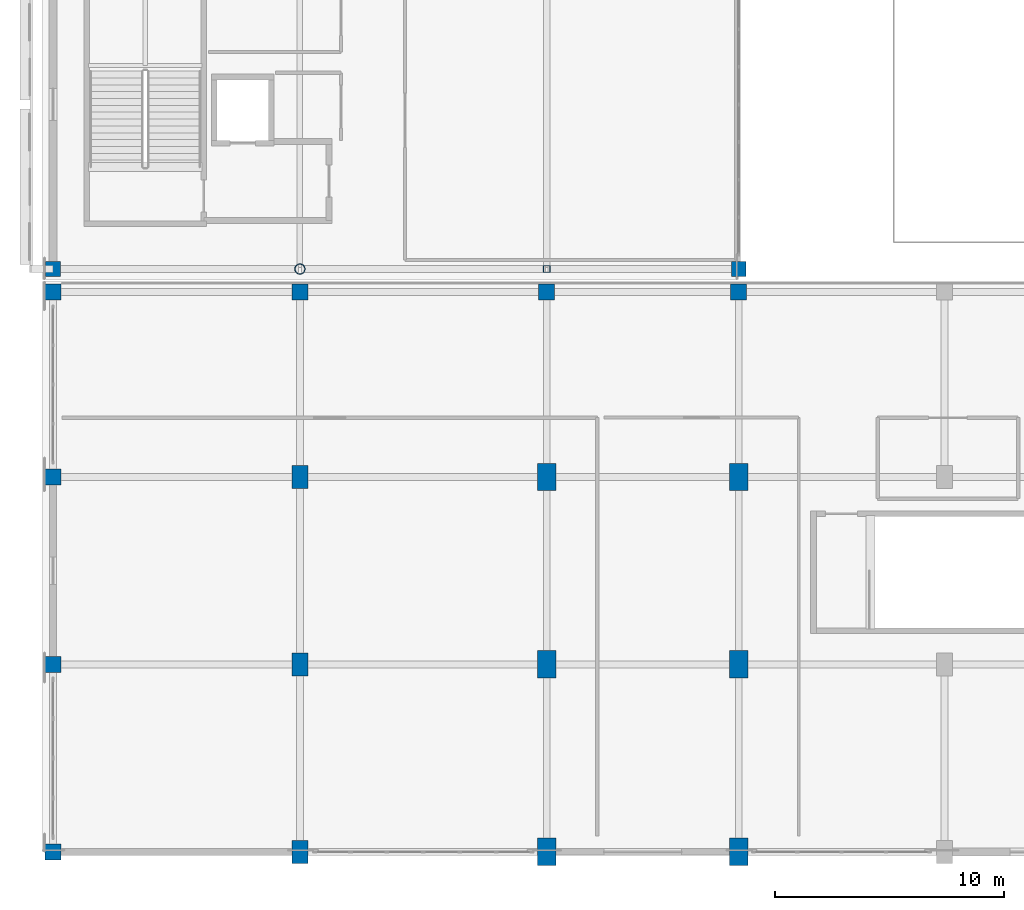
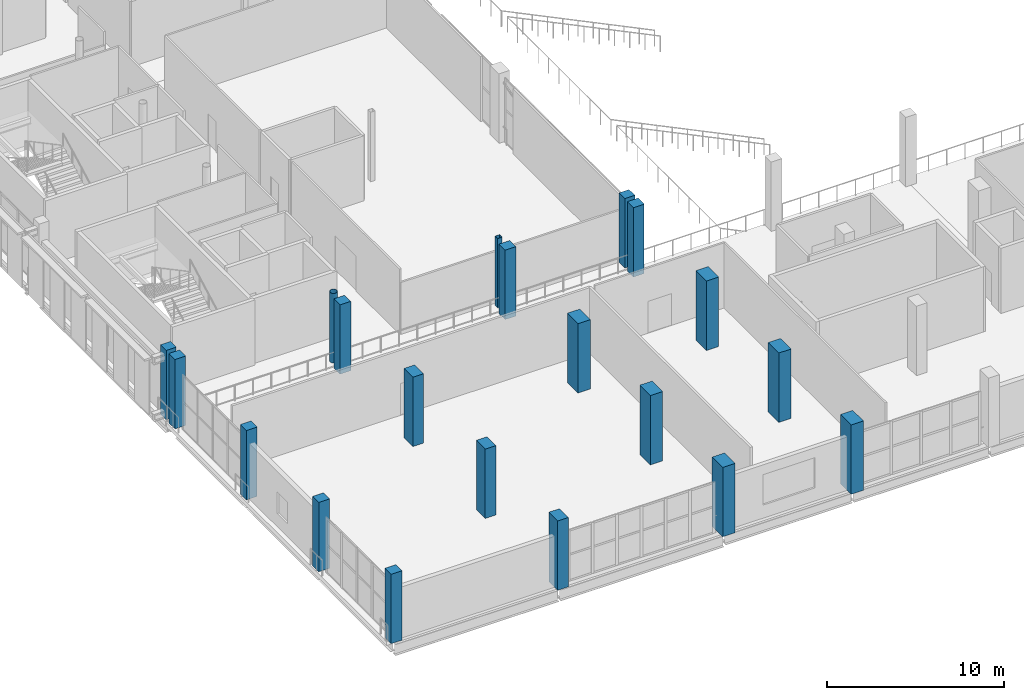
# One storey, part 1 of 104: 20 columns.
"""IFC4 building model written with IfcOpenShell, lengths in metres."""

from ifc_helpers import new_model, si_unit, direction, frame, origin, origin_2d, place, context, subcontext, project, spatial, rectangle, hollow_rectangle, hollow_circle, extrude, material, material_profile, profile_set, type_object, element, save


model = new_model("IFC4")

# Units and contexts
model_context = context("Model", 3, precision=1e-05, world=origin(), true_north=direction((0.0, 1.0)))
body_context = subcontext(model_context, "Body", "Model", "MODEL_VIEW")
ifc_project = project(units=[si_unit("LENGTHUNIT", "METRE"), si_unit("AREAUNIT", "SQUARE_METRE"), si_unit("VOLUMEUNIT", "CUBIC_METRE"), si_unit("PLANEANGLEUNIT", "RADIAN"), si_unit("MASSUNIT", "GRAM", prefix="KILO")], contexts=[model_context])

# Site, building, storey
site_placement = place(None, origin())
site = spatial("IfcSite", under=ifc_project, at=site_placement, CompositionType="ELEMENT")
building_placement = place(site_placement, origin())
building = spatial("IfcBuilding", under=site, at=building_placement, Name="Koshinbarg Plaza Stadium", CompositionType="ELEMENT")
storey_placement = place(building_placement, frame((0.0, 0.0, 19.800048828125)))
storey = spatial("IfcBuildingStorey", under=building, at=storey_placement, Name="L04", CompositionType="ELEMENT", Elevation=19.800048828125)

# Columns
ifc_material_1 = material(Name="Concrete C40/50", Category="concrete")
ifc_material_profile_1 = material_profile(ifc_material_1, rectangle(XDim=0.64990234375, YDim=0.64990234375, at=origin_2d()), Name="RC 650x650")
ifc_profile_set_1 = profile_set([ifc_material_profile_1], Name="Concrete C40/50")
column_type_1 = type_object("IfcColumnType", Name="COL-RC-05", PredefinedType="COLUMN", material=ifc_profile_set_1)
for number, where, z_axis, x_axis, name in (
    (1, (24.60009765625, 25.5, 0.0), (0.0, 0.0, 1.0), (1.0, 0.0, 0.0), "L04 column 5/E"),
    (2, (54.60009765625, 25.5, 0.0), (0.0, 0.0, 1.0), (1.0, 0.0, 0.0), "L04 column 8/E"),
):
    element("IfcColumn", number, at=place(storey_placement, frame(where, z_axis=z_axis, x_axis=x_axis)), inside=storey, type_object=column_type_1, Name=name, PredefinedType="COLUMN", context=body_context, shape_type="SweptSolid", body=[
        extrude(rectangle(XDim=0.64990234375, YDim=0.64990234375, at=origin_2d()), origin(), (0.0, 0.0, 1.0), 4.800048828125),
    ])
ifc_material_profile_2 = material_profile(ifc_material_1, rectangle(XDim=0.699951171875, YDim=0.699951171875, at=origin_2d()), Name="RC 700x700")
ifc_profile_set_2 = profile_set([ifc_material_profile_2], Name="Concrete C40/50")
column_type_2 = type_object("IfcColumnType", Name="COL-RC-06", PredefinedType="COLUMN", material=ifc_profile_set_2)
for number, where, z_axis, x_axis, name in (
    (3, (24.60009765625, 0.0, 0.0), (0.0, 0.0, 1.0), (1.0, 0.0, 0.0), "L04 column 5/A"),
    (4, (24.60009765625, 8.199951171875, 0.0), (0.0, 0.0, 1.0), (1.0, 0.0, 0.0), "L04 column 5/B"),
    (5, (24.60009765625, 16.39990234375, 0.0), (0.0, 0.0, 1.0), (1.0, 0.0, 0.0), "L04 column 5/C"),
    (6, (24.60009765625, 24.5, 0.0), (0.0, 0.0, 1.0), (1.0, 0.0, 0.0), "L04 column 5/D"),
    (7, (35.39990234375, 24.5, 0.0), (0.0, 0.0, 1.0), (1.0, 0.0, 0.0), "L04 column 6/D"),
    (8, (46.199951171875, 24.5, 0.0), (0.0, 0.0, 1.0), (1.0, 0.0, 0.0), "L04 column 7/D"),
    (9, (54.60009765625, 24.5, 0.0), (0.0, 0.0, 1.0), (1.0, 0.0, 0.0), "L04 column 8/D"),
):
    element("IfcColumn", number, at=place(storey_placement, frame(where, z_axis=z_axis, x_axis=x_axis)), inside=storey, type_object=column_type_2, Name=name, PredefinedType="COLUMN", context=body_context, shape_type="SweptSolid", body=[
        extrude(rectangle(XDim=0.699951171875, YDim=0.699951171875, at=origin_2d()), origin(), (0.0, 0.0, 1.0), 4.800048828125),
    ])
ifc_material_profile_3 = material_profile(ifc_material_1, rectangle(XDim=0.699951171875, YDim=1.0, at=origin_2d()), Name="RC 700x1000")
ifc_profile_set_3 = profile_set([ifc_material_profile_3], Name="Concrete C40/50")
column_type_3 = type_object("IfcColumnType", Name="COL-RC-13", PredefinedType="COLUMN", material=ifc_profile_set_3)
for number, where, z_axis, x_axis, name in (
    (10, (35.39990234375, 0.0, 0.0), (0.0, 0.0, 1.0), (1.0, 0.0, 0.0), "L04 column 6/A"),
    (11, (35.39990234375, 8.199951171875, 0.0), (0.0, 0.0, 1.0), (1.0, 0.0, 0.0), "L04 column 6/B"),
    (12, (35.39990234375, 16.39990234375, 0.0), (0.0, 0.0, 1.0), (1.0, 0.0, 0.0), "L04 column 6/C"),
):
    element("IfcColumn", number, at=place(storey_placement, frame(where, z_axis=z_axis, x_axis=x_axis)), inside=storey, type_object=column_type_3, Name=name, PredefinedType="COLUMN", context=body_context, shape_type="SweptSolid", body=[
        extrude(rectangle(XDim=0.699951171875, YDim=1.0, at=origin_2d()), origin(), (0.0, 0.0, 1.0), 4.800048828125),
    ])
ifc_material_profile_4 = material_profile(ifc_material_1, rectangle(XDim=0.800048828125, YDim=1.199951171875, at=origin_2d()), Name="RC 800x1200")
ifc_profile_set_4 = profile_set([ifc_material_profile_4], Name="Concrete C40/50")
column_type_4 = type_object("IfcColumnType", Name="COL-RC-14", PredefinedType="COLUMN", material=ifc_profile_set_4)
for number, where, z_axis, x_axis, name in (
    (13, (46.199951171875, 0.0, 0.0), (0.0, 0.0, 1.0), (1.0, 0.0, 0.0), "L04 column 7/A"),
    (14, (46.199951171875, 8.199951171875, 0.0), (0.0, 0.0, 1.0), (1.0, 0.0, 0.0), "L04 column 7/B"),
    (15, (46.199951171875, 16.39990234375, 0.0), (0.0, 0.0, 1.0), (1.0, 0.0, 0.0), "L04 column 7/C"),
    (16, (54.60009765625, 0.0, 0.0), (0.0, 0.0, 1.0), (1.0, 0.0, 0.0), "L04 column 8/A"),
    (17, (54.60009765625, 8.199951171875, 0.0), (0.0, 0.0, 1.0), (1.0, 0.0, 0.0), "L04 column 8/B"),
    (18, (54.60009765625, 16.39990234375, 0.0), (0.0, 0.0, 1.0), (1.0, 0.0, 0.0), "L04 column 8/C"),
):
    element("IfcColumn", number, at=place(storey_placement, frame(where, z_axis=z_axis, x_axis=x_axis)), inside=storey, type_object=column_type_4, Name=name, PredefinedType="COLUMN", context=body_context, shape_type="SweptSolid", body=[
        extrude(rectangle(XDim=0.800048828125, YDim=1.199951171875, at=origin_2d()), origin(), (0.0, 0.0, 1.0), 4.800048828125),
    ])
ifc_material_2 = material(Name="Steel S355", Category="steel")
ifc_material_profile_5 = material_profile(ifc_material_2, hollow_circle(Radius=0.228515625, WallThickness=0.02001953125, at=origin_2d()), Name="CHS 457x20")
ifc_profile_set_5 = profile_set([ifc_material_profile_5], Name="Steel S355")
column_type_5 = type_object("IfcColumnType", Name="COL-STL-05", PredefinedType="COLUMN", material=ifc_profile_set_5)
column_1_placement = place(storey_placement, frame((35.39990234375, 25.5, 0.0), z_axis=(0.0, 0.0, 1.0), x_axis=(1.0, 0.0, 0.0)))
element("IfcColumn", 19, at=column_1_placement, inside=storey, type_object=column_type_5, Name="L04 column 6/E", PredefinedType="COLUMN", context=body_context, shape_type="SweptSolid", body=[
    extrude(hollow_circle(Radius=0.228515625, WallThickness=0.02001953125, at=origin_2d()), origin(), (0.0, 0.0, 1.0), 4.800048828125),
])
ifc_material_profile_6 = material_profile(ifc_material_2, hollow_rectangle(XDim=0.300048828125, YDim=0.300048828125, WallThickness=0.01611328125, at=origin_2d()), Name="SHS 300x300x16")
ifc_profile_set_6 = profile_set([ifc_material_profile_6], Name="Steel S355")
column_type_6 = type_object("IfcColumnType", Name="COL-STL-06", PredefinedType="COLUMN", material=ifc_profile_set_6)
column_2_placement = place(storey_placement, frame((46.199951171875, 25.5, 0.0), z_axis=(0.0, 0.0, 1.0), x_axis=(1.0, 0.0, 0.0)))
element("IfcColumn", 20, at=column_2_placement, inside=storey, type_object=column_type_6, Name="L04 column 7/E", PredefinedType="COLUMN", context=body_context, shape_type="SweptSolid", body=[
    extrude(hollow_rectangle(XDim=0.300048828125, YDim=0.300048828125, WallThickness=0.01611328125, at=origin_2d()), origin(), (0.0, 0.0, 1.0), 4.800048828125),
])

save(model, "model.ifc")
